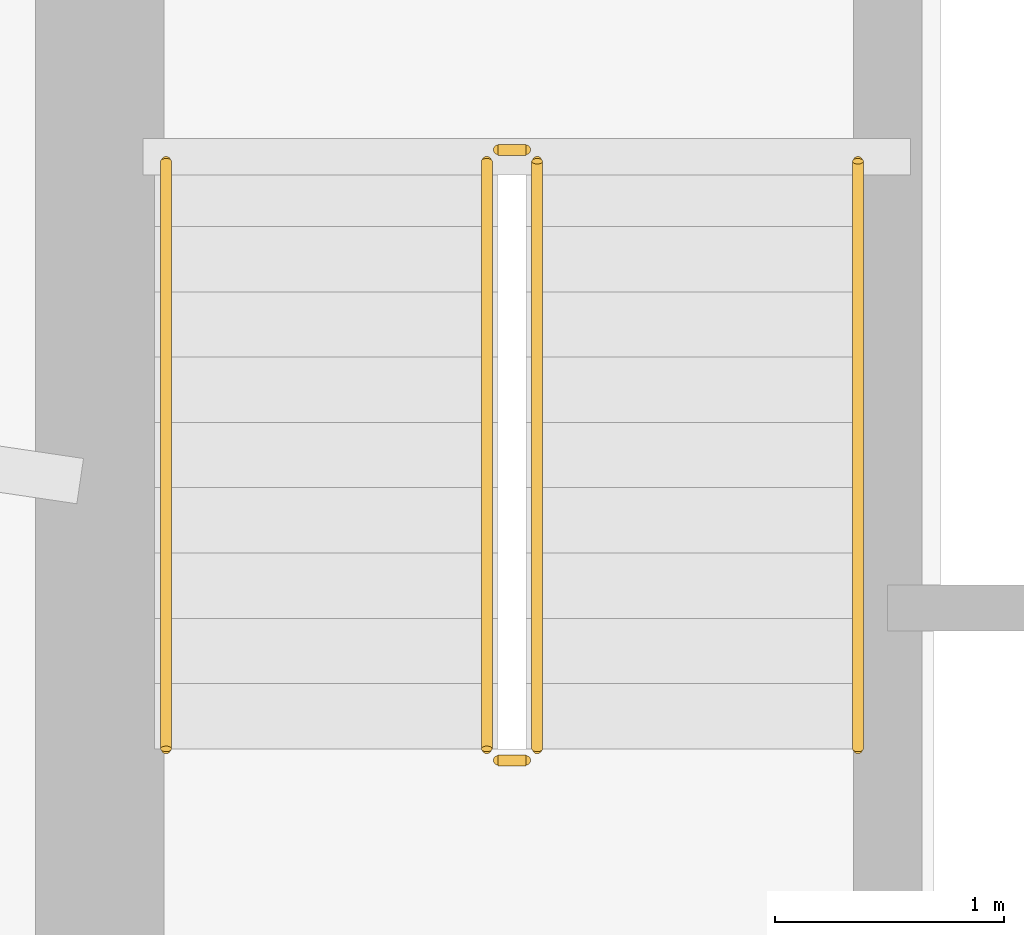
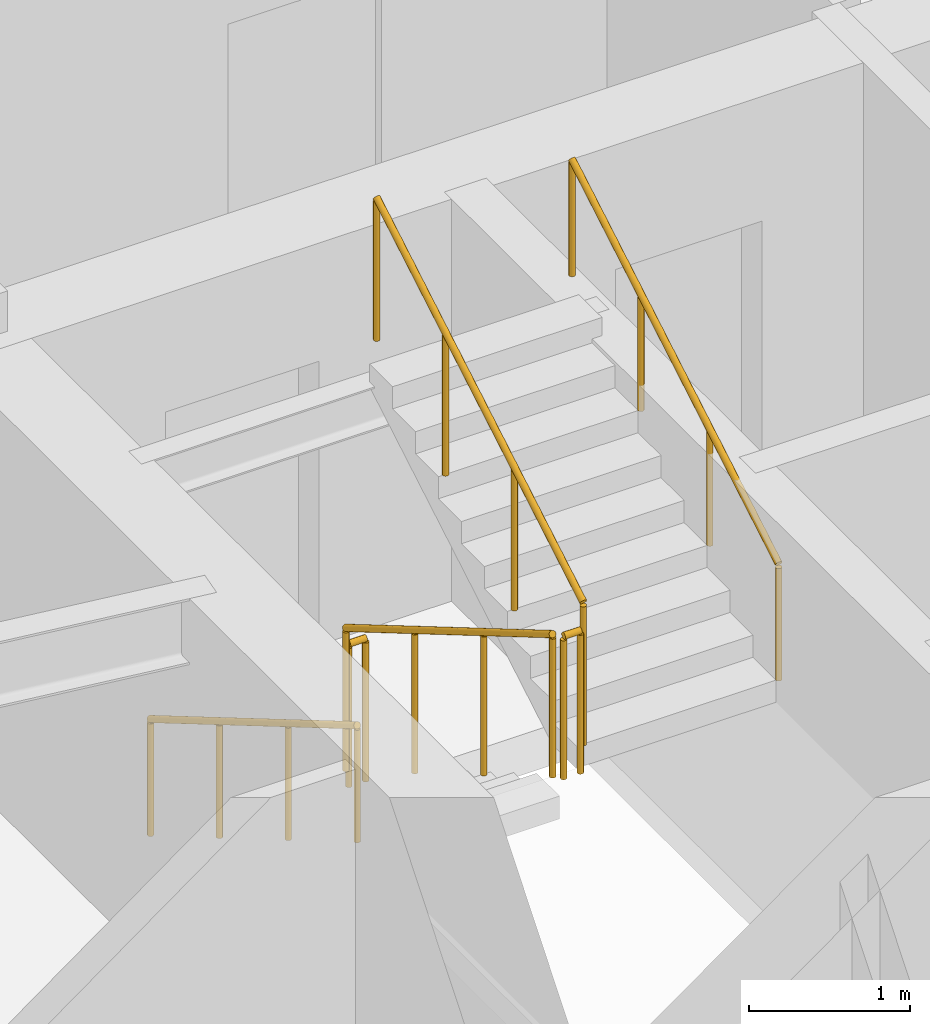
# One storey, part 16 of 17: 6 railings.
"""IFC4 building model written with IfcOpenShell, lengths in metres."""

from ifc_helpers import new_model, si_unit, direction, frame, origin, origin_2d, place, context, subcontext, project, spatial, circle, extrude, material, type_object, element, save


model = new_model("IFC4")

# Units and contexts
model_context = context("Model", 3, precision=1e-05, world=origin(), true_north=direction((0.0, 1.0)))
body_context = subcontext(model_context, "Body", "Model", "MODEL_VIEW")
ifc_project = project(units=[si_unit("LENGTHUNIT", "METRE"), si_unit("AREAUNIT", "SQUARE_METRE"), si_unit("VOLUMEUNIT", "CUBIC_METRE"), si_unit("PLANEANGLEUNIT", "RADIAN"), si_unit("MASSUNIT", "GRAM", prefix="KILO")], contexts=[model_context])

# Site, building, storey
site_placement = place(None, origin())
site = spatial("IfcSite", under=ifc_project, at=site_placement, CompositionType="ELEMENT")
building_placement = place(site_placement, origin())
building = spatial("IfcBuilding", under=site, at=building_placement, Name="Qobustan Lattice House", CompositionType="ELEMENT")
storey_placement = place(building_placement, frame((0.0, 0.0, 112.5)))
storey = spatial("IfcBuildingStorey", under=building, at=storey_placement, Name="L31", CompositionType="ELEMENT", Elevation=112.5)

# Railings
ifc_material_1 = material(Name="Brushed stainless steel handrail", Category="steel")
railing_type_1 = type_object("IfcRailingType", Name="RAL-HR-920", PredefinedType="HANDRAIL", material=ifc_material_1)
railing_1_placement = place(storey_placement, frame((-18.199951171875, 3.5, 0.16748046875)))
element("IfcRailing", 1, at=railing_1_placement, inside=storey, type_object=railing_type_1, Name="L31 ST-W1 stair handrail 1", PredefinedType="HANDRAIL", context=body_context, shape_type="SweptSolid", body=[
    extrude(circle(Radius=0.02392578125, at=origin_2d()), frame((0.0, 0.0, 0.8759765625), z_axis=(0.0, -0.862113467892, 0.50671527358), x_axis=(1.0, 0.0, 0.0)), (0.0, 0.0, 1.0), 2.97509765625),
    extrude(circle(Radius=0.02099609375, at=origin_2d()), origin(), (0.0, 0.0, 1.0), 0.851806640625),
    extrude(circle(Radius=0.02099609375, at=origin_2d()), frame((0.0, -0.85498046875, 0.50244140625)), (0.0, 0.0, 1.0), 0.851806640625),
    extrude(circle(Radius=0.02099609375, at=origin_2d()), frame((0.0, -1.7099609375, 1.005126953125)), (0.0, 0.0, 1.0), 0.851806640625),
    extrude(circle(Radius=0.02099609375, at=origin_2d()), frame((0.0, -2.56494140625, 1.507568359375)), (0.0, 0.0, 1.0), 0.851806640625),
])
railing_2_placement = place(storey_placement, frame((-15.179931640625, 0.93505859375, 1.842529296875)))
element("IfcRailing", 2, at=railing_2_placement, inside=storey, type_object=railing_type_1, Name="L31 ST-W1 stair handrail 2", PredefinedType="HANDRAIL", context=body_context, shape_type="SweptSolid", body=[
    extrude(circle(Radius=0.02392578125, at=origin_2d()), frame((0.0, 0.0, 0.8759765625), z_axis=(0.0, 0.862113467892, 0.50671527358), x_axis=(-1.0, 0.0, 0.0)), (0.0, 0.0, 1.0), 2.97509765625),
    extrude(circle(Radius=0.02099609375, at=origin_2d()), origin(), (0.0, 0.0, 1.0), 0.851806640625),
    extrude(circle(Radius=0.02099609375, at=origin_2d()), frame((0.0, 0.85498046875, 0.50244140625)), (0.0, 0.0, 1.0), 0.851806640625),
    extrude(circle(Radius=0.02099609375, at=origin_2d()), frame((0.0, 1.7099609375, 1.005126953125)), (0.0, 0.0, 1.0), 0.851806640625),
    extrude(circle(Radius=0.02099609375, at=origin_2d()), frame((0.0, 2.56494140625, 1.507568359375)), (0.0, 0.0, 1.0), 0.851806640625),
])
ifc_material_2 = material(Name="Painted galvanized steel guardrail", Category="steel")
railing_type_2 = type_object("IfcRailingType", Name="RAL-STG-1150", PredefinedType="GUARDRAIL", material=ifc_material_2)
railing_3_placement = place(storey_placement, frame((-16.800048828125, 3.5, 0.16748046875)))
element("IfcRailing", 3, at=railing_3_placement, inside=storey, type_object=railing_type_2, Name="L31 ST-W1 stair guard 1", PredefinedType="GUARDRAIL", context=body_context, shape_type="SweptSolid", body=[
    extrude(circle(Radius=0.02392578125, at=origin_2d()), frame((0.0, 0.0, 1.076171875), z_axis=(0.0, -0.862113467892, 0.50671527358), x_axis=(1.0, 0.0, 0.0)), (0.0, 0.0, 1.0), 2.97509765625),
    extrude(circle(Radius=0.02099609375, at=origin_2d()), origin(), (0.0, 0.0, 1.0), 1.052001953125),
    extrude(circle(Radius=0.02099609375, at=origin_2d()), frame((0.0, -0.85498046875, 0.50244140625)), (0.0, 0.0, 1.0), 1.052001953125),
    extrude(circle(Radius=0.02099609375, at=origin_2d()), frame((0.0, -1.7099609375, 1.005126953125)), (0.0, 0.0, 1.0), 1.052001953125),
    extrude(circle(Radius=0.02099609375, at=origin_2d()), frame((0.0, -2.56494140625, 1.507568359375)), (0.0, 0.0, 1.0), 1.052001953125),
])
railing_4_placement = place(storey_placement, frame((-16.75, 0.885009765625, 1.675048828125)))
element("IfcRailing", 4, at=railing_4_placement, inside=storey, type_object=railing_type_2, Name="L31 ST-W1 stair guard 2", PredefinedType="GUARDRAIL", context=body_context, shape_type="SweptSolid", body=[
    extrude(circle(Radius=0.02392578125, at=origin_2d()), frame((0.0, 0.0, 1.076171875), z_axis=(1.0, 0.0, 0.0), x_axis=(0.0, 1.0, 0.0)), (0.0, 0.0, 1.0), 0.1201171875),
    extrude(circle(Radius=0.02099609375, at=origin_2d()), origin(), (0.0, 0.0, 1.0), 1.052001953125),
    extrude(circle(Radius=0.02099609375, at=origin_2d()), frame((0.1201171875, 0.0, 0.0)), (0.0, 0.0, 1.0), 1.052001953125),
])
railing_5_placement = place(storey_placement, frame((-16.580078125, 0.93505859375, 1.842529296875)))
element("IfcRailing", 5, at=railing_5_placement, inside=storey, type_object=railing_type_2, Name="L31 ST-W1 stair guard 3", PredefinedType="GUARDRAIL", context=body_context, shape_type="SweptSolid", body=[
    extrude(circle(Radius=0.02392578125, at=origin_2d()), frame((0.0, 0.0, 1.076171875), z_axis=(0.0, 0.862113467892, 0.50671527358), x_axis=(-1.0, 0.0, 0.0)), (0.0, 0.0, 1.0), 2.97509765625),
    extrude(circle(Radius=0.02099609375, at=origin_2d()), origin(), (0.0, 0.0, 1.0), 1.052001953125),
    extrude(circle(Radius=0.02099609375, at=origin_2d()), frame((0.0, 0.85498046875, 0.50244140625)), (0.0, 0.0, 1.0), 1.052001953125),
    extrude(circle(Radius=0.02099609375, at=origin_2d()), frame((0.0, 1.7099609375, 1.005126953125)), (0.0, 0.0, 1.0), 1.052001953125),
    extrude(circle(Radius=0.02099609375, at=origin_2d()), frame((0.0, 2.56494140625, 1.507568359375)), (0.0, 0.0, 1.0), 1.052001953125),
])
railing_6_placement = place(storey_placement, frame((-16.75, 3.550048828125, 0.0)))
element("IfcRailing", 6, at=railing_6_placement, inside=storey, type_object=railing_type_2, Name="L31 ST-W1 stair guard 4", PredefinedType="GUARDRAIL", context=body_context, shape_type="SweptSolid", body=[
    extrude(circle(Radius=0.02392578125, at=origin_2d()), frame((0.0, 0.0, 1.076171875), z_axis=(1.0, 0.0, 0.0), x_axis=(0.0, 1.0, 0.0)), (0.0, 0.0, 1.0), 0.1201171875),
    extrude(circle(Radius=0.02099609375, at=origin_2d()), origin(), (0.0, 0.0, 1.0), 1.052001953125),
    extrude(circle(Radius=0.02099609375, at=origin_2d()), frame((0.1201171875, 0.0, 0.0)), (0.0, 0.0, 1.0), 1.052001953125),
])

save(model, "model.ifc")
